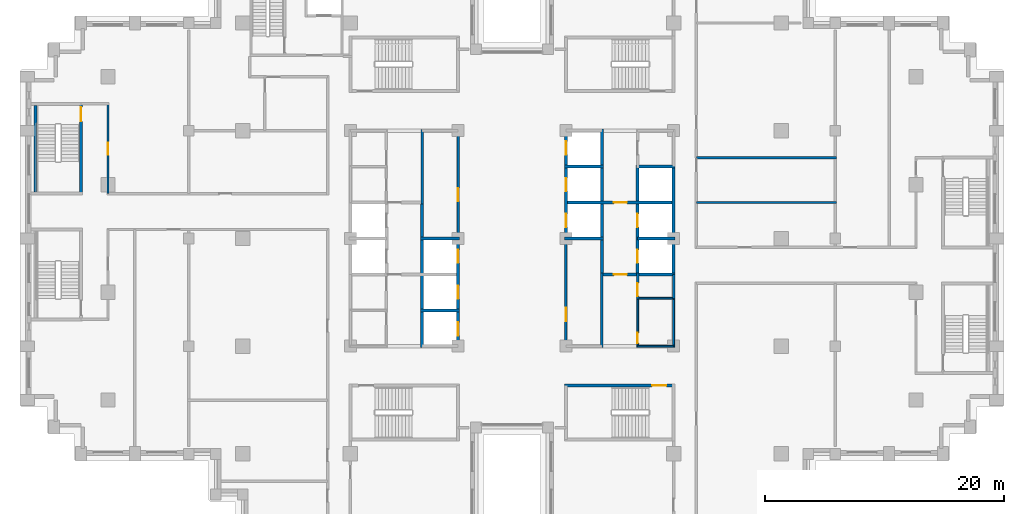
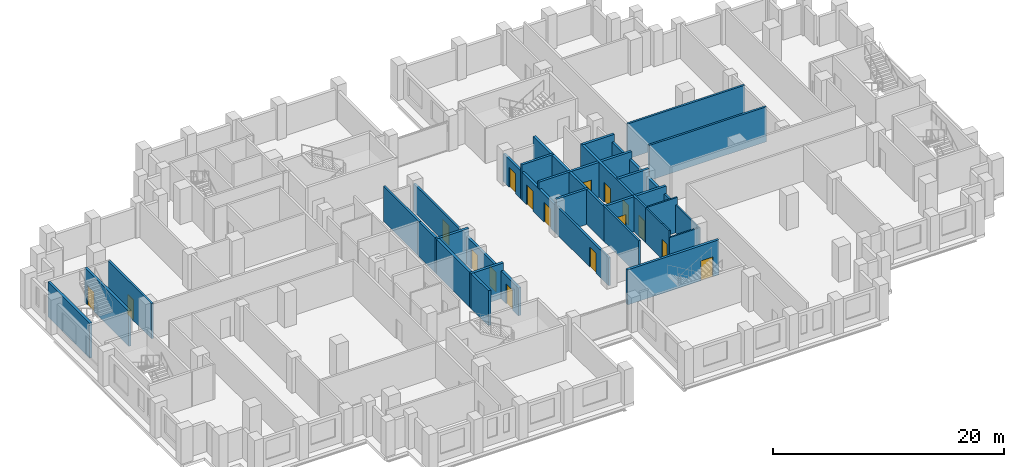
# One storey, part 8 of 15: 30 walls, 17 doors, 17 openings.
"""IFC4 building model written with IfcOpenShell, lengths in metres."""

from ifc_helpers import new_model, si_unit, direction, frame, frame_2d, origin, place, context, subcontext, project, spatial, rectangle, extrude, material, layer, layer_set, type_object, element, fill, save


model = new_model("IFC4")

# Units and contexts
model_context = context("Model", 3, precision=1e-05, world=origin(), true_north=direction((0.0, 1.0)))
body_context = subcontext(model_context, "Body", "Model", "MODEL_VIEW")
ifc_project = project(units=[si_unit("LENGTHUNIT", "METRE"), si_unit("AREAUNIT", "SQUARE_METRE"), si_unit("VOLUMEUNIT", "CUBIC_METRE"), si_unit("PLANEANGLEUNIT", "RADIAN"), si_unit("MASSUNIT", "GRAM", prefix="KILO")], contexts=[model_context])

# Site, building, storey
site_placement = place(None, origin())
site = spatial("IfcSite", under=ifc_project, at=site_placement, CompositionType="ELEMENT")
building_placement = place(site_placement, origin())
building = spatial("IfcBuilding", under=site, at=building_placement, Name="Corbelhall Arena Tower", CompositionType="ELEMENT")
storey_placement = place(building_placement, frame((0.0, 0.0, 84.0)))
storey = spatial("IfcBuildingStorey", under=building, at=storey_placement, Name="L13", CompositionType="ELEMENT", Elevation=84.0)

# Wall, opening, door
ifc_material_1 = material(Name="Gypsum board on steel stud, acoustic", Category="steel")
ifc_layer_1 = layer(ifc_material_1, 0.199951171875)
ifc_layer_set_1 = layer_set([ifc_layer_1], Name="IN-W-DM200")
wall_type_1 = type_object("IfcWallType", Name="IN-W-DM200", PredefinedType="PARTITIONING", material=ifc_layer_set_1)
wall_1_placement = place(storey_placement, frame((-33.75, 11.25, 0.0), z_axis=(0.0, 0.0, 1.0), x_axis=(0.0, -1.0, 0.0)))
wall_1 = element("IfcWall", 1, at=wall_1_placement, inside=storey, type_object=wall_type_1, Name="Partition 005", PredefinedType="PARTITIONING", context=body_context, shape_type="SweptSolid", body=[
    extrude(rectangle(XDim=7.5, YDim=0.199951171875, at=frame_2d((3.75, 0.0))), origin(), (0.0, 0.0, 1.0), 3.699951171875),
])
opening_1_placement = place(wall_1_placement, frame((3.25, 0.0, 0.0)))
opening_1 = element("IfcOpeningElement", 2, at=opening_1_placement, cuts=wall_1, Name="Opening 02037", PredefinedType="OPENING", context=body_context, shape_type="SweptSolid", body=[
    extrude(rectangle(XDim=1.0, YDim=2.10009765625, at=frame_2d((0.5, 1.050048828125))), frame((0.0, 0.10009765625, 0.0), z_axis=(0.0, -1.0, 0.0), x_axis=(1.0, 0.0, 0.0)), (0.0, 0.0, 1.0), 0.199951171875),
])
ifc_material_2 = material(Name="Steel door set", Category="steel")
door_type_1 = type_object("IfcDoorType", Name="IN-D-SW100", OperationType="NOTDEFINED", PredefinedType="DOOR", material=ifc_material_2)
door_1_placement = place(opening_1_placement, origin())
door_1 = element("IfcDoor", 3, at=door_1_placement, inside=storey, type_object=door_type_1, Name="Door 037", OperationType="SINGLE_SWING_RIGHT", OverallHeight=2.10009765625, OverallWidth=1.0, PredefinedType="DOOR", context=body_context, shape_type="SweptSolid", body=[
    extrude(rectangle(XDim=1.0, YDim=2.10009765625, at=frame_2d((0.5, 1.050048828125))), frame((0.0, 0.02490234375, 0.0), z_axis=(0.0, -1.0, 0.0), x_axis=(1.0, 0.0, 0.0)), (0.0, 0.0, 1.0), 0.050048828125),
])
fill(opening_1, door_1)

# Walls
for number, where, z_axis, x_axis, name in (
    (4, (15.39990234375, 3.0, 0.0), (0.0, 0.0, 1.0), (1.0, 0.0, 0.0), "Partition 030"),
    (5, (15.39990234375, 6.75, 0.0), (0.0, 0.0, 1.0), (1.0, 0.0, 0.0), "Partition 032"),
):
    element("IfcWall", number, at=place(storey_placement, frame(where, z_axis=z_axis, x_axis=x_axis)), inside=storey, type_object=wall_type_1, Name=name, PredefinedType="PARTITIONING", context=body_context, shape_type="SweptSolid", body=[
        extrude(rectangle(XDim=11.7001953125, YDim=0.199951171875, at=frame_2d((5.85009765625, 0.0))), origin(), (0.0, 0.0, 1.0), 3.699951171875),
    ])
ifc_material_3 = material(Name="Concrete block wall", Category="concrete")
ifc_layer_2 = layer(ifc_material_3, 0.199951171875)
ifc_layer_set_2 = layer_set([ifc_layer_2], Name="IN-W-RS200")
wall_type_2 = type_object("IfcWallType", Name="IN-W-RS200", PredefinedType="SOLIDWALL", material=ifc_layer_set_2)
for number, where, z_axis, x_axis, name in (
    (6, (-7.5, 2.875, 0.0), (0.0, 0.0, 1.0), (0.0, 1.0, 0.0), "Partition 047"),
    (7, (7.5, -2.875, 0.0), (0.0, 0.0, 1.0), (0.0, -1.0, 0.0), "Partition 052"),
):
    element("IfcWall", number, at=place(storey_placement, frame(where, z_axis=z_axis, x_axis=x_axis)), inside=storey, type_object=wall_type_2, Name=name, PredefinedType="SOLIDWALL", context=body_context, shape_type="SweptSolid", body=[
        extrude(rectangle(XDim=6.22509765625, YDim=0.199951171875, at=frame_2d((3.112548828125, 0.0))), origin(), (0.0, 0.0, 1.0), 3.699951171875),
    ])

# Wall, opening, door
wall_2_placement = place(storey_placement, frame((10.5, -2.875, 0.0), z_axis=(0.0, 0.0, 1.0), x_axis=(0.0, -1.0, 0.0)))
wall_2 = element("IfcWall", 8, at=wall_2_placement, inside=storey, type_object=wall_type_2, Name="Partition 053", PredefinedType="SOLIDWALL", context=body_context, shape_type="SweptSolid", body=[
    extrude(rectangle(XDim=2.199951171875, YDim=0.199951171875, at=frame_2d((1.10009765625, 0.0))), origin(), (0.0, 0.0, 1.0), 3.699951171875),
])
opening_2_placement = place(wall_2_placement, frame((0.85009765625, 0.0, 0.0)))
opening_2 = element("IfcOpeningElement", 9, at=opening_2_placement, cuts=wall_2, Name="Opening 02012", PredefinedType="OPENING", context=body_context, shape_type="SweptSolid", body=[
    extrude(rectangle(XDim=1.10009765625, YDim=2.10009765625, at=frame_2d((0.550048828125, 1.050048828125))), frame((0.0, 0.10009765625, 0.0), z_axis=(0.0, -1.0, 0.0), x_axis=(1.0, 0.0, 0.0)), (0.0, 0.0, 1.0), 0.199951171875),
])
door_type_2 = type_object("IfcDoorType", Name="IN-D-FD110", OperationType="NOTDEFINED", PredefinedType="DOOR", material=ifc_material_2)
door_2_placement = place(opening_2_placement, origin())
door_2 = element("IfcDoor", 10, at=door_2_placement, inside=storey, type_object=door_type_2, Name="Door 012", OperationType="SINGLE_SWING_LEFT", OverallHeight=2.10009765625, OverallWidth=1.10009765625, PredefinedType="DOOR", context=body_context, shape_type="SweptSolid", body=[
    extrude(rectangle(XDim=1.10009765625, YDim=2.10009765625, at=frame_2d((0.550048828125, 1.050048828125))), frame((0.0, 0.02490234375, 0.0), z_axis=(0.0, -1.0, 0.0), x_axis=(1.0, 0.0, 0.0)), (0.0, 0.0, 1.0), 0.050048828125),
])
fill(opening_2, door_2)

ifc_layer_3 = layer(ifc_material_3, 0.199951171875)
ifc_layer_set_3 = layer_set([ifc_layer_3], Name="IN-W-RS200 under beam 762 mm")
wall_type_3 = type_object("IfcWallType", Name="IN-W-RS200 under beam 762 mm", PredefinedType="SOLIDWALL", material=ifc_layer_set_3)
wall_3_placement = place(storey_placement, frame((-4.5, 9.10009765625, 0.0), z_axis=(0.0, 0.0, 1.0), x_axis=(0.0, -1.0, 0.0)))
wall_3 = element("IfcWall", 11, at=wall_3_placement, inside=storey, type_object=wall_type_3, Name="Partition 049", PredefinedType="SOLIDWALL", context=body_context, shape_type="SweptSolid", body=[
    extrude(rectangle(XDim=9.10009765625, YDim=0.199951171875, at=frame_2d((4.550048828125, 0.0))), origin(), (0.0, 0.0, 1.0), 2.93798828125),
])
opening_3_placement = place(wall_3_placement, frame((4.89990234375, 0.0, 0.0)))
opening_3 = element("IfcOpeningElement", 12, at=opening_3_placement, cuts=wall_3, Name="Opening 02001", PredefinedType="OPENING", context=body_context, shape_type="SweptSolid", body=[
    extrude(rectangle(XDim=1.10009765625, YDim=2.10009765625, at=frame_2d((0.550048828125, 1.050048828125))), frame((0.0, 0.10009765625, 0.0), z_axis=(0.0, -1.0, 0.0), x_axis=(1.0, 0.0, 0.0)), (0.0, 0.0, 1.0), 0.199951171875),
])
door_3_placement = place(opening_3_placement, origin())
door_3 = element("IfcDoor", 13, at=door_3_placement, inside=storey, type_object=door_type_2, Name="Door 001", OperationType="SINGLE_SWING_RIGHT", OverallHeight=2.10009765625, OverallWidth=1.10009765625, PredefinedType="DOOR", context=body_context, shape_type="SweptSolid", body=[
    extrude(rectangle(XDim=1.10009765625, YDim=2.10009765625, at=frame_2d((0.550048828125, 1.050048828125))), frame((0.0, 0.02490234375, 0.0), z_axis=(0.0, -1.0, 0.0), x_axis=(1.0, 0.0, 0.0)), (0.0, 0.0, 1.0), 0.050048828125),
])
fill(opening_3, door_3)

wall_4_placement = place(storey_placement, frame((4.5, -9.10009765625, 0.0), z_axis=(0.0, 0.0, 1.0), x_axis=(0.0, 1.0, 0.0)))
wall_4 = element("IfcWall", 14, at=wall_4_placement, inside=storey, type_object=wall_type_3, Name="Partition 050", PredefinedType="SOLIDWALL", context=body_context, shape_type="SweptSolid", body=[
    extrude(rectangle(XDim=9.10009765625, YDim=0.199951171875, at=frame_2d((4.550048828125, 0.0))), origin(), (0.0, 0.0, 1.0), 2.93798828125),
])
opening_4_placement = place(wall_4_placement, frame((2.199951171875, 0.0, 0.0)))
opening_4 = element("IfcOpeningElement", 15, at=opening_4_placement, cuts=wall_4, Name="Opening 02008", PredefinedType="OPENING", context=body_context, shape_type="SweptSolid", body=[
    extrude(rectangle(XDim=1.10009765625, YDim=2.10009765625, at=frame_2d((0.550048828125, 1.050048828125))), frame((0.0, 0.10009765625, 0.0), z_axis=(0.0, -1.0, 0.0), x_axis=(1.0, 0.0, 0.0)), (0.0, 0.0, 1.0), 0.199951171875),
])
door_4_placement = place(opening_4_placement, origin())
door_4 = element("IfcDoor", 16, at=door_4_placement, inside=storey, type_object=door_type_2, Name="Door 008", OperationType="SINGLE_SWING_LEFT", OverallHeight=2.10009765625, OverallWidth=1.10009765625, PredefinedType="DOOR", context=body_context, shape_type="SweptSolid", body=[
    extrude(rectangle(XDim=1.10009765625, YDim=2.10009765625, at=frame_2d((0.550048828125, 1.050048828125))), frame((0.0, 0.02490234375, 0.0), z_axis=(0.0, -1.0, 0.0), x_axis=(1.0, 0.0, 0.0)), (0.0, 0.0, 1.0), 0.050048828125),
])
fill(opening_4, door_4)

# Walls
wall_5_placement = place(storey_placement, frame((13.5, -3.0, 0.0), z_axis=(0.0, 0.0, 1.0), x_axis=(0.0, -1.0, 0.0)))
element("IfcWall", 17, at=wall_5_placement, inside=storey, type_object=wall_type_3, Name="Partition 056", PredefinedType="SOLIDWALL", context=body_context, shape_type="SweptSolid", body=[
    extrude(rectangle(XDim=2.0, YDim=0.199951171875, at=frame_2d((1.0, 0.0))), origin(), (0.0, 0.0, 1.0), 2.93798828125),
])
ifc_material_4 = material(Name="Concrete C40/50", Category="concrete")
ifc_layer_4 = layer(ifc_material_4, 0.25)
ifc_layer_set_4 = layer_set([ifc_layer_4], Name="IN-W-SH250")
wall_type_4 = type_object("IfcWallType", Name="IN-W-SH250", PredefinedType="SOLIDWALL", material=ifc_layer_set_4)
for number, where, z_axis, x_axis, name in (
    (18, (-7.625, -6.0, 0.0), (0.0, 0.0, 1.0), (1.0, 0.0, 0.0), "Shaft wall 063"),
    (19, (-7.625, 0.0, 0.0), (0.0, 0.0, 1.0), (1.0, 0.0, 0.0), "Shaft wall 064"),
):
    element("IfcWall", number, at=place(storey_placement, frame(where, z_axis=z_axis, x_axis=x_axis)), inside=storey, type_object=wall_type_4, Name=name, PredefinedType="SOLIDWALL", context=body_context, shape_type="SweptSolid", body=[
        extrude(rectangle(XDim=3.25, YDim=0.25, at=frame_2d((1.625, 0.0))), origin(), (0.0, 0.0, 1.0), 3.699951171875),
    ])
wall_6_placement = place(storey_placement, frame((-7.5, -9.125, 0.0), z_axis=(0.0, 0.0, 1.0), x_axis=(0.0, 1.0, 0.0)))
element("IfcWall", 20, at=wall_6_placement, inside=storey, type_object=wall_type_4, Name="Shaft wall 065", PredefinedType="SOLIDWALL", context=body_context, shape_type="SweptSolid", body=[
    extrude(rectangle(XDim=12.25, YDim=0.25, at=frame_2d((6.125, 0.0))), origin(), (0.0, 0.0, 1.0), 3.699951171875),
])
wall_7_placement = place(storey_placement, frame((4.375, 0.0, 0.0), z_axis=(0.0, 0.0, 1.0), x_axis=(1.0, 0.0, 0.0)))
element("IfcWall", 21, at=wall_7_placement, inside=storey, type_object=wall_type_4, Name="Shaft wall 068", PredefinedType="SOLIDWALL", context=body_context, shape_type="SweptSolid", body=[
    extrude(rectangle(XDim=3.25, YDim=0.25, at=frame_2d((1.625, 0.0))), origin(), (0.0, 0.0, 1.0), 3.699951171875),
])

# Wall, opening, door
wall_8_placement = place(storey_placement, frame((4.375, 3.0, 0.0), z_axis=(0.0, 0.0, 1.0), x_axis=(1.0, 0.0, 0.0)))
wall_8 = element("IfcWall", 22, at=wall_8_placement, inside=storey, type_object=wall_type_4, Name="Shaft wall 069", PredefinedType="SOLIDWALL", context=body_context, shape_type="SweptSolid", body=[
    extrude(rectangle(XDim=9.25, YDim=0.25, at=frame_2d((4.625, 0.0))), origin(), (0.0, 0.0, 1.0), 3.699951171875),
])
opening_5_placement = place(wall_8_placement, frame((4.125, 0.0, 0.0)))
opening_5 = element("IfcOpeningElement", 23, at=opening_5_placement, cuts=wall_8, Name="Opening 02010", PredefinedType="OPENING", context=body_context, shape_type="SweptSolid", body=[
    extrude(rectangle(XDim=1.10009765625, YDim=2.10009765625, at=frame_2d((0.550048828125, 1.050048828125))), frame((0.0, 0.125, 0.0), z_axis=(0.0, -1.0, 0.0), x_axis=(1.0, 0.0, 0.0)), (0.0, 0.0, 1.0), 0.25),
])
door_5_placement = place(opening_5_placement, origin())
door_5 = element("IfcDoor", 24, at=door_5_placement, inside=storey, type_object=door_type_2, Name="Door 010", OperationType="SINGLE_SWING_LEFT", OverallHeight=2.10009765625, OverallWidth=1.10009765625, PredefinedType="DOOR", context=body_context, shape_type="SweptSolid", body=[
    extrude(rectangle(XDim=1.10009765625, YDim=2.10009765625, at=frame_2d((0.550048828125, 1.050048828125))), frame((0.0, 0.02490234375, 0.0), z_axis=(0.0, -1.0, 0.0), x_axis=(1.0, 0.0, 0.0)), (0.0, 0.0, 1.0), 0.050048828125),
])
fill(opening_5, door_5)

# Wall
wall_9_placement = place(storey_placement, frame((4.375, 6.0, 0.0), z_axis=(0.0, 0.0, 1.0), x_axis=(1.0, 0.0, 0.0)))
element("IfcWall", 25, at=wall_9_placement, inside=storey, type_object=wall_type_4, Name="Shaft wall 070", PredefinedType="SOLIDWALL", context=body_context, shape_type="SweptSolid", body=[
    extrude(rectangle(XDim=3.25, YDim=0.25, at=frame_2d((1.625, 0.0))), origin(), (0.0, 0.0, 1.0), 3.699951171875),
])

# Wall, opening, door
wall_10_placement = place(storey_placement, frame((7.5, -3.0, 0.0), z_axis=(0.0, 0.0, 1.0), x_axis=(1.0, 0.0, 0.0)))
wall_10 = element("IfcWall", 26, at=wall_10_placement, inside=storey, type_object=wall_type_4, Name="Shaft wall 073", PredefinedType="SOLIDWALL", context=body_context, shape_type="SweptSolid", body=[
    extrude(rectangle(XDim=6.125, YDim=0.25, at=frame_2d((3.0625, 0.0))), origin(), (0.0, 0.0, 1.0), 3.699951171875),
])
opening_6_placement = place(wall_10_placement, frame((1.0, 0.0, 0.0)))
opening_6 = element("IfcOpeningElement", 27, at=opening_6_placement, cuts=wall_10, Name="Opening 02009", PredefinedType="OPENING", context=body_context, shape_type="SweptSolid", body=[
    extrude(rectangle(XDim=1.10009765625, YDim=2.10009765625, at=frame_2d((0.550048828125, 1.050048828125))), frame((0.0, 0.125, 0.0), z_axis=(0.0, -1.0, 0.0), x_axis=(1.0, 0.0, 0.0)), (0.0, 0.0, 1.0), 0.25),
])
door_6_placement = place(opening_6_placement, origin())
door_6 = element("IfcDoor", 28, at=door_6_placement, inside=storey, type_object=door_type_2, Name="Door 009", OperationType="SINGLE_SWING_RIGHT", OverallHeight=2.10009765625, OverallWidth=1.10009765625, PredefinedType="DOOR", context=body_context, shape_type="SweptSolid", body=[
    extrude(rectangle(XDim=1.10009765625, YDim=2.10009765625, at=frame_2d((0.550048828125, 1.050048828125))), frame((0.0, 0.02490234375, 0.0), z_axis=(0.0, -1.0, 0.0), x_axis=(1.0, 0.0, 0.0)), (0.0, 0.0, 1.0), 0.050048828125),
])
fill(opening_6, door_6)

# Walls
wall_11_placement = place(storey_placement, frame((7.5, 9.125, 0.0), z_axis=(0.0, 0.0, 1.0), x_axis=(0.0, -1.0, 0.0)))
element("IfcWall", 29, at=wall_11_placement, inside=storey, type_object=wall_type_4, Name="Shaft wall 074", PredefinedType="SOLIDWALL", context=body_context, shape_type="SweptSolid", body=[
    extrude(rectangle(XDim=12.25, YDim=0.25, at=frame_2d((6.125, 0.0))), origin(), (0.0, 0.0, 1.0), 3.699951171875),
])
wall_12_placement = place(storey_placement, frame((10.5, 0.0, 0.0), z_axis=(0.0, 0.0, 1.0), x_axis=(1.0, 0.0, 0.0)))
element("IfcWall", 30, at=wall_12_placement, inside=storey, type_object=wall_type_4, Name="Shaft wall 075", PredefinedType="SOLIDWALL", context=body_context, shape_type="SweptSolid", body=[
    extrude(rectangle(XDim=3.125, YDim=0.25, at=frame_2d((1.5625, 0.0))), origin(), (0.0, 0.0, 1.0), 3.699951171875),
])

# Wall, openings, doors
wall_13_placement = place(storey_placement, frame((10.5, 6.125, 0.0), z_axis=(0.0, 0.0, 1.0), x_axis=(0.0, -1.0, 0.0)))
wall_13 = element("IfcWall", 31, at=wall_13_placement, inside=storey, type_object=wall_type_4, Name="Shaft wall 076", PredefinedType="SOLIDWALL", context=body_context, shape_type="SweptSolid", body=[
    extrude(rectangle(XDim=9.25, YDim=0.25, at=frame_2d((4.625, 0.0))), origin(), (0.0, 0.0, 1.0), 3.699951171875),
])
opening_7_placement = place(wall_13_placement, frame((7.074951171875, 0.0, 0.0)))
opening_7 = element("IfcOpeningElement", 32, at=opening_7_placement, cuts=wall_13, Name="Opening LD", PredefinedType="OPENING", context=body_context, shape_type="SweptSolid", body=[
    extrude(rectangle(XDim=1.10009765625, YDim=2.10009765625, at=frame_2d((0.550048828125, 1.050048828125))), frame((0.0, 0.125, 0.0), z_axis=(0.0, -1.0, 0.0), x_axis=(1.0, 0.0, 0.0)), (0.0, 0.0, 1.0), 0.25),
])
opening_8_placement = place(wall_13_placement, frame((4.074951171875, 0.0, 0.0)))
opening_8 = element("IfcOpeningElement", 33, at=opening_8_placement, cuts=wall_13, Name="Opening LD", PredefinedType="OPENING", context=body_context, shape_type="SweptSolid", body=[
    extrude(rectangle(XDim=1.10009765625, YDim=2.10009765625, at=frame_2d((0.550048828125, 1.050048828125))), frame((0.0, 0.125, 0.0), z_axis=(0.0, -1.0, 0.0), x_axis=(1.0, 0.0, 0.0)), (0.0, 0.0, 1.0), 0.25),
])
door_type_3 = type_object("IfcDoorType", Name="IN-D-LD110", OperationType="NOTDEFINED", PredefinedType="DOOR", material=ifc_material_2)
door_7_placement = place(opening_7_placement, origin())
door_7 = element("IfcDoor", 34, at=door_7_placement, inside=storey, type_object=door_type_3, Name="Landing door E3", OperationType="SLIDING_TO_LEFT", OverallHeight=2.10009765625, OverallWidth=1.10009765625, PredefinedType="DOOR", context=body_context, shape_type="SweptSolid", body=[
    extrude(rectangle(XDim=1.10009765625, YDim=2.10009765625, at=frame_2d((0.550048828125, 1.050048828125))), frame((0.0, 0.02490234375, 0.0), z_axis=(0.0, -1.0, 0.0), x_axis=(1.0, 0.0, 0.0)), (0.0, 0.0, 1.0), 0.050048828125),
])
fill(opening_7, door_7)
door_8_placement = place(opening_8_placement, origin())
door_8 = element("IfcDoor", 35, at=door_8_placement, inside=storey, type_object=door_type_3, Name="Landing door E4", OperationType="SLIDING_TO_LEFT", OverallHeight=2.10009765625, OverallWidth=1.10009765625, PredefinedType="DOOR", context=body_context, shape_type="SweptSolid", body=[
    extrude(rectangle(XDim=1.10009765625, YDim=2.10009765625, at=frame_2d((0.550048828125, 1.050048828125))), frame((0.0, 0.02490234375, 0.0), z_axis=(0.0, -1.0, 0.0), x_axis=(1.0, 0.0, 0.0)), (0.0, 0.0, 1.0), 0.050048828125),
])
fill(opening_8, door_8)

# Wall
wall_14_placement = place(storey_placement, frame((10.5, 6.0, 0.0), z_axis=(0.0, 0.0, 1.0), x_axis=(1.0, 0.0, 0.0)))
element("IfcWall", 36, at=wall_14_placement, inside=storey, type_object=wall_type_4, Name="Shaft wall 077", PredefinedType="SOLIDWALL", context=body_context, shape_type="SweptSolid", body=[
    extrude(rectangle(XDim=3.125, YDim=0.25, at=frame_2d((1.5625, 0.0))), origin(), (0.0, 0.0, 1.0), 3.699951171875),
])

# Wall, openings, doors
ifc_layer_5 = layer(ifc_material_4, 0.25)
ifc_layer_set_5 = layer_set([ifc_layer_5], Name="IN-W-SH250 under beam 762 mm")
wall_type_5 = type_object("IfcWallType", Name="IN-W-SH250 under beam 762 mm", PredefinedType="SOLIDWALL", material=ifc_layer_set_5)
wall_15_placement = place(storey_placement, frame((-4.5, 0.0, 0.0), z_axis=(0.0, 0.0, 1.0), x_axis=(0.0, -1.0, 0.0)))
wall_15 = element("IfcWall", 37, at=wall_15_placement, inside=storey, type_object=wall_type_5, Name="Shaft wall 067", PredefinedType="SOLIDWALL", context=body_context, shape_type="SweptSolid", body=[
    extrude(rectangle(XDim=9.125, YDim=0.25, at=frame_2d((4.5625, 0.0))), origin(), (0.0, 0.0, 1.0), 2.93798828125),
])
opening_9_placement = place(wall_15_placement, frame((7.012451171875, 0.0, 0.0)))
opening_9 = element("IfcOpeningElement", 38, at=opening_9_placement, cuts=wall_15, Name="Opening LD", PredefinedType="OPENING", context=body_context, shape_type="SweptSolid", body=[
    extrude(rectangle(XDim=1.10009765625, YDim=2.10009765625, at=frame_2d((0.550048828125, 1.050048828125))), frame((0.0, 0.125, 0.0), z_axis=(0.0, -1.0, 0.0), x_axis=(1.0, 0.0, 0.0)), (0.0, 0.0, 1.0), 0.25),
])
opening_10_placement = place(wall_15_placement, frame((3.949951171875, 0.0, 0.0)))
opening_10 = element("IfcOpeningElement", 39, at=opening_10_placement, cuts=wall_15, Name="Opening LD", PredefinedType="OPENING", context=body_context, shape_type="SweptSolid", body=[
    extrude(rectangle(XDim=1.10009765625, YDim=2.10009765625, at=frame_2d((0.550048828125, 1.050048828125))), frame((0.0, 0.125, 0.0), z_axis=(0.0, -1.0, 0.0), x_axis=(1.0, 0.0, 0.0)), (0.0, 0.0, 1.0), 0.25),
])
opening_11_placement = place(wall_15_placement, frame((0.949951171875, 0.0, 0.0)))
opening_11 = element("IfcOpeningElement", 40, at=opening_11_placement, cuts=wall_15, Name="Opening LD", PredefinedType="OPENING", context=body_context, shape_type="SweptSolid", body=[
    extrude(rectangle(XDim=1.10009765625, YDim=2.10009765625, at=frame_2d((0.550048828125, 1.050048828125))), frame((0.0, 0.125, 0.0), z_axis=(0.0, -1.0, 0.0), x_axis=(1.0, 0.0, 0.0)), (0.0, 0.0, 1.0), 0.25),
])
door_9_placement = place(opening_9_placement, origin())
door_9 = element("IfcDoor", 41, at=door_9_placement, inside=storey, type_object=door_type_3, Name="Landing door W1", OperationType="SLIDING_TO_LEFT", OverallHeight=2.10009765625, OverallWidth=1.10009765625, PredefinedType="DOOR", context=body_context, shape_type="SweptSolid", body=[
    extrude(rectangle(XDim=1.10009765625, YDim=2.10009765625, at=frame_2d((0.550048828125, 1.050048828125))), frame((0.0, 0.02490234375, 0.0), z_axis=(0.0, -1.0, 0.0), x_axis=(1.0, 0.0, 0.0)), (0.0, 0.0, 1.0), 0.050048828125),
])
fill(opening_9, door_9)
door_10_placement = place(opening_10_placement, origin())
door_10 = element("IfcDoor", 42, at=door_10_placement, inside=storey, type_object=door_type_3, Name="Landing door W2", OperationType="SLIDING_TO_LEFT", OverallHeight=2.10009765625, OverallWidth=1.10009765625, PredefinedType="DOOR", context=body_context, shape_type="SweptSolid", body=[
    extrude(rectangle(XDim=1.10009765625, YDim=2.10009765625, at=frame_2d((0.550048828125, 1.050048828125))), frame((0.0, 0.02490234375, 0.0), z_axis=(0.0, -1.0, 0.0), x_axis=(1.0, 0.0, 0.0)), (0.0, 0.0, 1.0), 0.050048828125),
])
fill(opening_10, door_10)
door_11_placement = place(opening_11_placement, origin())
door_11 = element("IfcDoor", 43, at=door_11_placement, inside=storey, type_object=door_type_3, Name="Landing door W3", OperationType="SLIDING_TO_LEFT", OverallHeight=2.10009765625, OverallWidth=1.10009765625, PredefinedType="DOOR", context=body_context, shape_type="SweptSolid", body=[
    extrude(rectangle(XDim=1.10009765625, YDim=2.10009765625, at=frame_2d((0.550048828125, 1.050048828125))), frame((0.0, 0.02490234375, 0.0), z_axis=(0.0, -1.0, 0.0), x_axis=(1.0, 0.0, 0.0)), (0.0, 0.0, 1.0), 0.050048828125),
])
fill(opening_11, door_11)

wall_16_placement = place(storey_placement, frame((4.5, 0.0, 0.0), z_axis=(0.0, 0.0, 1.0), x_axis=(0.0, 1.0, 0.0)))
wall_16 = element("IfcWall", 44, at=wall_16_placement, inside=storey, type_object=wall_type_5, Name="Shaft wall 071", PredefinedType="SOLIDWALL", context=body_context, shape_type="SweptSolid", body=[
    extrude(rectangle(XDim=9.125, YDim=0.25, at=frame_2d((4.5625, 0.0))), origin(), (0.0, 0.0, 1.0), 2.93798828125),
])
opening_12_placement = place(wall_16_placement, frame((0.949951171875, 0.0, 0.0)))
opening_12 = element("IfcOpeningElement", 45, at=opening_12_placement, cuts=wall_16, Name="Opening LD", PredefinedType="OPENING", context=body_context, shape_type="SweptSolid", body=[
    extrude(rectangle(XDim=1.10009765625, YDim=2.10009765625, at=frame_2d((0.550048828125, 1.050048828125))), frame((0.0, 0.125, 0.0), z_axis=(0.0, -1.0, 0.0), x_axis=(1.0, 0.0, 0.0)), (0.0, 0.0, 1.0), 0.25),
])
opening_13_placement = place(wall_16_placement, frame((3.949951171875, 0.0, 0.0)))
opening_13 = element("IfcOpeningElement", 46, at=opening_13_placement, cuts=wall_16, Name="Opening LD", PredefinedType="OPENING", context=body_context, shape_type="SweptSolid", body=[
    extrude(rectangle(XDim=1.10009765625, YDim=2.10009765625, at=frame_2d((0.550048828125, 1.050048828125))), frame((0.0, 0.125, 0.0), z_axis=(0.0, -1.0, 0.0), x_axis=(1.0, 0.0, 0.0)), (0.0, 0.0, 1.0), 0.25),
])
opening_14_placement = place(wall_16_placement, frame((7.012451171875, 0.0, 0.0)))
opening_14 = element("IfcOpeningElement", 47, at=opening_14_placement, cuts=wall_16, Name="Opening LD", PredefinedType="OPENING", context=body_context, shape_type="SweptSolid", body=[
    extrude(rectangle(XDim=1.10009765625, YDim=2.10009765625, at=frame_2d((0.550048828125, 1.050048828125))), frame((0.0, 0.125, 0.0), z_axis=(0.0, -1.0, 0.0), x_axis=(1.0, 0.0, 0.0)), (0.0, 0.0, 1.0), 0.25),
])
door_12_placement = place(opening_12_placement, origin())
door_12 = element("IfcDoor", 48, at=door_12_placement, inside=storey, type_object=door_type_3, Name="Landing door E4", OperationType="SLIDING_TO_LEFT", OverallHeight=2.10009765625, OverallWidth=1.10009765625, PredefinedType="DOOR", context=body_context, shape_type="SweptSolid", body=[
    extrude(rectangle(XDim=1.10009765625, YDim=2.10009765625, at=frame_2d((0.550048828125, 1.050048828125))), frame((0.0, 0.02490234375, 0.0), z_axis=(0.0, -1.0, 0.0), x_axis=(1.0, 0.0, 0.0)), (0.0, 0.0, 1.0), 0.050048828125),
])
fill(opening_12, door_12)
door_13_placement = place(opening_13_placement, origin())
door_13 = element("IfcDoor", 49, at=door_13_placement, inside=storey, type_object=door_type_3, Name="Landing door E5", OperationType="SLIDING_TO_LEFT", OverallHeight=2.10009765625, OverallWidth=1.10009765625, PredefinedType="DOOR", context=body_context, shape_type="SweptSolid", body=[
    extrude(rectangle(XDim=1.10009765625, YDim=2.10009765625, at=frame_2d((0.550048828125, 1.050048828125))), frame((0.0, 0.02490234375, 0.0), z_axis=(0.0, -1.0, 0.0), x_axis=(1.0, 0.0, 0.0)), (0.0, 0.0, 1.0), 0.050048828125),
])
fill(opening_13, door_13)
door_14_placement = place(opening_14_placement, origin())
door_14 = element("IfcDoor", 50, at=door_14_placement, inside=storey, type_object=door_type_3, Name="Landing door E6", OperationType="SLIDING_TO_LEFT", OverallHeight=2.10009765625, OverallWidth=1.10009765625, PredefinedType="DOOR", context=body_context, shape_type="SweptSolid", body=[
    extrude(rectangle(XDim=1.10009765625, YDim=2.10009765625, at=frame_2d((0.550048828125, 1.050048828125))), frame((0.0, 0.02490234375, 0.0), z_axis=(0.0, -1.0, 0.0), x_axis=(1.0, 0.0, 0.0)), (0.0, 0.0, 1.0), 0.050048828125),
])
fill(opening_14, door_14)

# Wall
wall_17_placement = place(storey_placement, frame((13.5, 6.0, 0.0), z_axis=(0.0, 0.0, 1.0), x_axis=(0.0, -1.0, 0.0)))
element("IfcWall", 51, at=wall_17_placement, inside=storey, type_object=wall_type_5, Name="Shaft wall 078", PredefinedType="SOLIDWALL", context=body_context, shape_type="SweptSolid", body=[
    extrude(rectangle(XDim=9.0, YDim=0.25, at=frame_2d((4.5, 0.0))), origin(), (0.0, 0.0, 1.0), 2.93798828125),
])

# Wall, opening, door
ifc_layer_6 = layer(ifc_material_4, 0.25)
ifc_layer_set_6 = layer_set([ifc_layer_6], Name="IN-W-ST250")
wall_type_6 = type_object("IfcWallType", Name="IN-W-ST250", PredefinedType="SOLIDWALL", material=ifc_layer_set_6)
wall_18_placement = place(storey_placement, frame((-36.0, 11.375, 0.0), z_axis=(0.0, 0.0, 1.0), x_axis=(0.0, -1.0, 0.0)))
wall_18 = element("IfcWall", 52, at=wall_18_placement, inside=storey, type_object=wall_type_6, Name="Shaft wall 083", PredefinedType="SOLIDWALL", context=body_context, shape_type="SweptSolid", body=[
    extrude(rectangle(XDim=7.625, YDim=0.25, at=frame_2d((3.8125, 0.0))), origin(), (0.0, 0.0, 1.0), 3.699951171875),
])
opening_15_placement = place(wall_18_placement, frame((0.39990234375, 0.0, 0.0)))
opening_15 = element("IfcOpeningElement", 53, at=opening_15_placement, cuts=wall_18, Name="Opening 02018", PredefinedType="OPENING", context=body_context, shape_type="SweptSolid", body=[
    extrude(rectangle(XDim=1.199951171875, YDim=2.10009765625, at=frame_2d((0.60009765625, 1.050048828125))), frame((0.0, 0.125, 0.0), z_axis=(0.0, -1.0, 0.0), x_axis=(1.0, 0.0, 0.0)), (0.0, 0.0, 1.0), 0.25),
])
door_type_4 = type_object("IfcDoorType", Name="IN-D-ST120", OperationType="NOTDEFINED", PredefinedType="DOOR", material=ifc_material_2)
door_15_placement = place(opening_15_placement, origin())
door_15 = element("IfcDoor", 54, at=door_15_placement, inside=storey, type_object=door_type_4, Name="Door 018", OperationType="SINGLE_SWING_LEFT", OverallHeight=2.10009765625, OverallWidth=1.199951171875, PredefinedType="DOOR", context=body_context, shape_type="SweptSolid", body=[
    extrude(rectangle(XDim=1.199951171875, YDim=2.10009765625, at=frame_2d((0.60009765625, 1.050048828125))), frame((0.0, 0.02490234375, 0.0), z_axis=(0.0, -1.0, 0.0), x_axis=(1.0, 0.0, 0.0)), (0.0, 0.0, 1.0), 0.050048828125),
])
fill(opening_15, door_15)

wall_19_placement = place(storey_placement, frame((13.5, -12.300048828125, 0.0), z_axis=(0.0, 0.0, 1.0), x_axis=(-1.0, 0.0, 0.0)))
wall_19 = element("IfcWall", 55, at=wall_19_placement, inside=storey, type_object=wall_type_6, Name="Shaft wall 099", PredefinedType="SOLIDWALL", context=body_context, shape_type="SweptSolid", body=[
    extrude(rectangle(XDim=9.125, YDim=0.25, at=frame_2d((4.5625, 0.0))), origin(), (0.0, 0.0, 1.0), 3.699951171875),
])
opening_16_placement = place(wall_19_placement, frame((0.60009765625, 0.0, 0.0)))
opening_16 = element("IfcOpeningElement", 56, at=opening_16_placement, cuts=wall_19, Name="Opening 02017", PredefinedType="OPENING", context=body_context, shape_type="SweptSolid", body=[
    extrude(rectangle(XDim=1.199951171875, YDim=2.10009765625, at=frame_2d((0.60009765625, 1.050048828125))), frame((0.0, 0.125, 0.0), z_axis=(0.0, -1.0, 0.0), x_axis=(1.0, 0.0, 0.0)), (0.0, 0.0, 1.0), 0.25),
])
door_16_placement = place(opening_16_placement, origin())
door_16 = element("IfcDoor", 57, at=door_16_placement, inside=storey, type_object=door_type_4, Name="Door 017", OperationType="SINGLE_SWING_RIGHT", OverallHeight=2.10009765625, OverallWidth=1.199951171875, PredefinedType="DOOR", context=body_context, shape_type="SweptSolid", body=[
    extrude(rectangle(XDim=1.199951171875, YDim=2.10009765625, at=frame_2d((0.60009765625, 1.050048828125))), frame((0.0, 0.02490234375, 0.0), z_axis=(0.0, -1.0, 0.0), x_axis=(1.0, 0.0, 0.0)), (0.0, 0.0, 1.0), 0.050048828125),
])
fill(opening_16, door_16)

# Walls
wall_20_placement = place(storey_placement, frame((-39.824951171875, 3.875, 0.0), z_axis=(0.0, 0.0, 1.0), x_axis=(0.0, 1.0, 0.0)))
element("IfcWall", 58, at=wall_20_placement, inside=storey, type_object=wall_type_6, Name="Shaft wall SC1 facade side", PredefinedType="SOLIDWALL", context=body_context, shape_type="SweptSolid", body=[
    extrude(rectangle(XDim=7.25, YDim=0.25, at=frame_2d((3.625, 0.0))), origin(), (0.0, 0.0, 1.0), 3.699951171875),
])
ifc_material_5 = material(Name="Gypsum board on steel stud, moisture resistant", Category="steel")
ifc_layer_7 = layer(ifc_material_5, 0.14990234375)
ifc_layer_set_7 = layer_set([ifc_layer_7], Name="IN-W-WC150")
wall_type_7 = type_object("IfcWallType", Name="IN-W-WC150", PredefinedType="PARTITIONING", material=ifc_layer_set_7)
wall_21_placement = place(storey_placement, frame((10.5, -5.0, 0.0), z_axis=(0.0, 0.0, 1.0), x_axis=(1.0, 0.0, 0.0)))
element("IfcWall", 59, at=wall_21_placement, inside=storey, type_object=wall_type_7, Name="Partition 114", PredefinedType="PARTITIONING", context=body_context, shape_type="SweptSolid", body=[
    extrude(rectangle(XDim=3.10009765625, YDim=0.14990234375, at=frame_2d((1.550048828125, 0.0))), origin(), (0.0, 0.0, 1.0), 3.699951171875),
])

# Wall, opening, door
wall_22_placement = place(storey_placement, frame((10.5, -4.925048828125, 0.0), z_axis=(0.0, 0.0, 1.0), x_axis=(0.0, -1.0, 0.0)))
wall_22 = element("IfcWall", 60, at=wall_22_placement, inside=storey, type_object=wall_type_7, Name="Partition 115", PredefinedType="PARTITIONING", context=body_context, shape_type="SweptSolid", body=[
    extrude(rectangle(XDim=4.14990234375, YDim=0.14990234375, at=frame_2d((2.074951171875, 0.0))), origin(), (0.0, 0.0, 1.0), 3.699951171875),
])
opening_17_placement = place(wall_22_placement, frame((2.949951171875, 0.0, 0.0)))
opening_17 = element("IfcOpeningElement", 61, at=opening_17_placement, cuts=wall_22, Name="Opening 02011", PredefinedType="OPENING", context=body_context, shape_type="SweptSolid", body=[
    extrude(rectangle(XDim=0.89990234375, YDim=2.10009765625, at=frame_2d((0.449951171875, 1.050048828125))), frame((0.0, 0.074951171875, 0.0), z_axis=(0.0, -1.0, 0.0), x_axis=(1.0, 0.0, 0.0)), (0.0, 0.0, 1.0), 0.14990234375),
])
ifc_material_6 = material(Name="Timber door set", Category="wood")
door_type_5 = type_object("IfcDoorType", Name="IN-D-SW90", OperationType="NOTDEFINED", PredefinedType="DOOR", material=ifc_material_6)
door_17_placement = place(opening_17_placement, origin())
door_17 = element("IfcDoor", 62, at=door_17_placement, inside=storey, type_object=door_type_5, Name="Door 011", OperationType="SINGLE_SWING_RIGHT", OverallHeight=2.10009765625, OverallWidth=0.89990234375, PredefinedType="DOOR", context=body_context, shape_type="SweptSolid", body=[
    extrude(rectangle(XDim=0.89990234375, YDim=2.10009765625, at=frame_2d((0.449951171875, 1.050048828125))), frame((0.0, 0.02490234375, 0.0), z_axis=(0.0, -1.0, 0.0), x_axis=(1.0, 0.0, 0.0)), (0.0, 0.0, 1.0), 0.050048828125),
])
fill(opening_17, door_17)

# Walls
ifc_layer_8 = layer(ifc_material_5, 0.14990234375)
ifc_layer_set_8 = layer_set([ifc_layer_8], Name="IN-W-WC150 under beam 762 mm")
wall_type_8 = type_object("IfcWallType", Name="IN-W-WC150 under beam 762 mm", PredefinedType="PARTITIONING", material=ifc_layer_set_8)
wall_23_placement = place(storey_placement, frame((13.5, -9.0, 0.0), z_axis=(0.0, 0.0, 1.0), x_axis=(-1.0, 0.0, 0.0)))
element("IfcWall", 63, at=wall_23_placement, inside=storey, type_object=wall_type_8, Name="Partition 116", PredefinedType="PARTITIONING", context=body_context, shape_type="SweptSolid", body=[
    extrude(rectangle(XDim=3.0, YDim=0.14990234375, at=frame_2d((1.5, 0.0))), origin(), (0.0, 0.0, 1.0), 2.93798828125),
])
wall_24_placement = place(storey_placement, frame((13.5, -5.0, 0.0), z_axis=(0.0, 0.0, 1.0), x_axis=(0.0, -1.0, 0.0)))
element("IfcWall", 64, at=wall_24_placement, inside=storey, type_object=wall_type_8, Name="Partition 117", PredefinedType="PARTITIONING", context=body_context, shape_type="SweptSolid", body=[
    extrude(rectangle(XDim=4.074951171875, YDim=0.14990234375, at=frame_2d((2.03759765625, 0.0))), origin(), (0.0, 0.0, 1.0), 2.93798828125),
])

save(model, "model.ifc")
